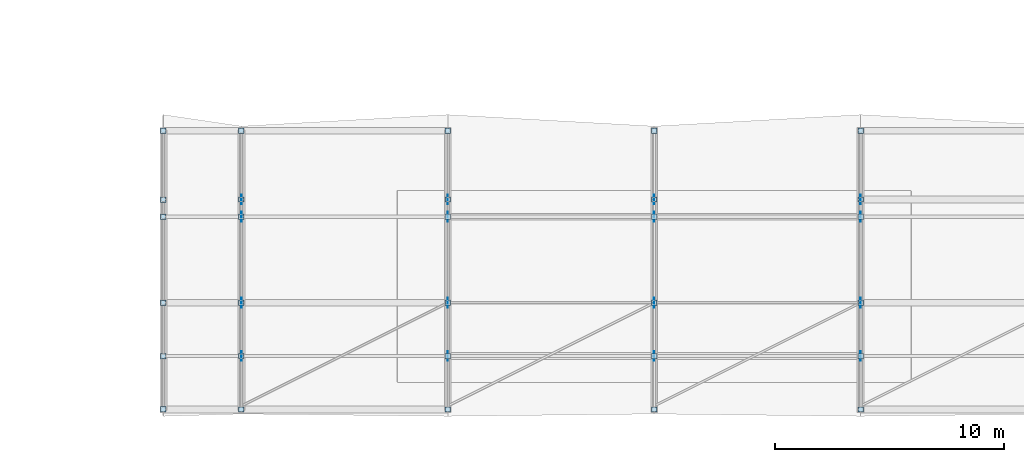
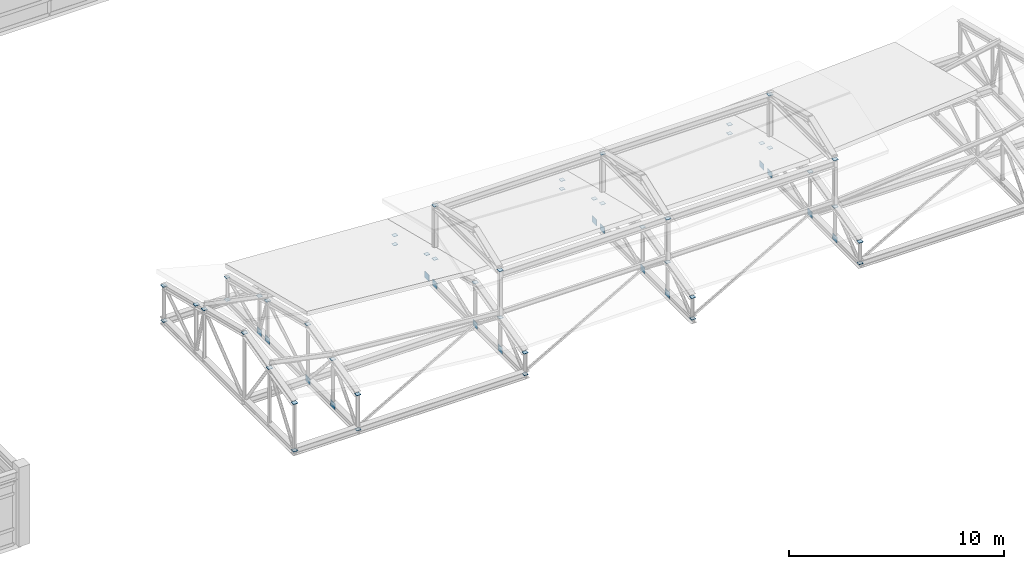
# One storey, part 34 of 55: 62 plates.
"""IFC4 building model written with IfcOpenShell, lengths in metres."""

from ifc_helpers import new_model, si_unit, direction, frame, origin, origin_2d, place, context, subcontext, project, spatial, rectangle, extrude, material, layer, layer_set, type_object, element, save


model = new_model("IFC4")

# Units and contexts
model_context = context("Model", 3, precision=1e-05, world=origin(), true_north=direction((0.0, 1.0)))
body_context = subcontext(model_context, "Body", "Model", "MODEL_VIEW")
ifc_project = project(units=[si_unit("LENGTHUNIT", "METRE"), si_unit("AREAUNIT", "SQUARE_METRE"), si_unit("VOLUMEUNIT", "CUBIC_METRE"), si_unit("PLANEANGLEUNIT", "RADIAN"), si_unit("MASSUNIT", "GRAM", prefix="KILO")], contexts=[model_context])

# Site, building, storey
site_placement = place(None, origin())
site = spatial("IfcSite", under=ifc_project, at=site_placement, CompositionType="ELEMENT")
building_placement = place(site_placement, origin())
building = spatial("IfcBuilding", under=site, at=building_placement, Name="Bozkorgan Art Gallery", CompositionType="ELEMENT")
storey_placement = place(building_placement, frame((0.0, 0.0, 15.0)))
storey = spatial("IfcBuildingStorey", under=building, at=storey_placement, Name="L03", CompositionType="ELEMENT", Elevation=15.0)

# Plates
ifc_material = material(Name="Steel S355J2", Category="steel")
ifc_layer_1 = layer(ifc_material, 0.01611328125, Name="Steel S355J2")
ifc_layer_set_1 = layer_set([ifc_layer_1], Name="Steel S355J2")
plate_type_1 = type_object("IfcPlateType", Name="PLATE-EC-05", PredefinedType="USERDEFINED", material=ifc_layer_set_1)
for number, where, z_axis, x_axis, name in (
    (1, (83.0, 1.85009765625, 2.197509765625), (0.0, 0.0, 1.0), (1.0, 0.0, 0.0), "Truss V3 post cap 2.0"),
    (2, (83.0, 1.85009765625, 0.19189453125), (0.0, 0.0, 1.0), (1.0, 0.0, 0.0), "Truss V3 post base cap 2.0"),
    (3, (83.0, 4.175048828125, 2.777099609375), (0.0, 0.0, 1.0), (1.0, 0.0, 0.0), "Truss V3 post cap 2.1"),
    (4, (83.0, 6.5, 3.35693359375), (0.0, 0.0, 1.0), (1.0, 0.0, 0.0), "Truss V3 post cap 2.2"),
    (5, (83.0, 10.25, 2.421875), (0.0, 0.0, 1.0), (1.0, 0.0, 0.0), "Truss V3 post cap 2.3"),
    (6, (83.0, 11.0, 2.23486328125), (0.0, 0.0, 1.0), (1.0, 0.0, 0.0), "Truss V3 post cap 2.4"),
    (7, (83.0, 14.0, 1.48681640625), (0.0, 0.0, 1.0), (1.0, 0.0, 0.0), "Truss V3 post cap 2.5"),
    (8, (83.0, 14.0, 0.19189453125), (0.0, 0.0, 1.0), (1.0, 0.0, 0.0), "Truss V3 post base cap 2.5"),
    (9, (92.0, 1.85009765625, 1.418701171875), (0.0, 0.0, 1.0), (1.0, 0.0, 0.0), "Truss V3 post cap 3.0"),
    (10, (92.0, 1.85009765625, 0.19189453125), (0.0, 0.0, 1.0), (1.0, 0.0, 0.0), "Truss V3 post base cap 3.0"),
    (11, (92.0, 4.175048828125, 1.998291015625), (0.0, 0.0, 1.0), (1.0, 0.0, 0.0), "Truss V3 post cap 3.1"),
    (12, (92.0, 6.5, 2.578125), (0.0, 0.0, 1.0), (1.0, 0.0, 0.0), "Truss V3 post cap 3.2"),
    (13, (92.0, 10.25, 1.64306640625), (0.0, 0.0, 1.0), (1.0, 0.0, 0.0), "Truss V3 post cap 3.3"),
    (14, (92.0, 11.0, 1.4560546875), (0.0, 0.0, 1.0), (1.0, 0.0, 0.0), "Truss V3 post cap 3.4"),
    (15, (92.0, 14.0, 0.7080078125), (0.0, 0.0, 1.0), (1.0, 0.0, 0.0), "Truss V3 post cap 3.5"),
    (16, (92.0, 14.0, 0.19189453125), (0.0, 0.0, 1.0), (1.0, 0.0, 0.0), "Truss V3 post base cap 3.5"),
    (17, (101.0, 1.85009765625, 1.418701171875), (0.0, 0.0, 1.0), (1.0, 0.0, 0.0), "Truss V3 post cap 4.0"),
    (18, (101.0, 1.85009765625, 0.19189453125), (0.0, 0.0, 1.0), (1.0, 0.0, 0.0), "Truss V3 post base cap 4.0"),
    (19, (101.0, 4.175048828125, 1.998291015625), (0.0, 0.0, 1.0), (1.0, 0.0, 0.0), "Truss V3 post cap 4.1"),
    (20, (101.0, 6.5, 2.578125), (0.0, 0.0, 1.0), (1.0, 0.0, 0.0), "Truss V3 post cap 4.2"),
    (21, (101.0, 10.25, 1.64306640625), (0.0, 0.0, 1.0), (1.0, 0.0, 0.0), "Truss V3 post cap 4.3"),
    (22, (101.0, 11.0, 1.4560546875), (0.0, 0.0, 1.0), (1.0, 0.0, 0.0), "Truss V3 post cap 4.4"),
    (23, (101.0, 14.0, 0.7080078125), (0.0, 0.0, 1.0), (1.0, 0.0, 0.0), "Truss V3 post cap 4.5"),
    (24, (101.0, 14.0, 0.19189453125), (0.0, 0.0, 1.0), (1.0, 0.0, 0.0), "Truss V3 post base cap 4.5"),
    (25, (110.0, 1.85009765625, 1.418701171875), (0.0, 0.0, 1.0), (1.0, 0.0, 0.0), "Truss V3 post cap 5.0"),
    (26, (110.0, 1.85009765625, 0.19189453125), (0.0, 0.0, 1.0), (1.0, 0.0, 0.0), "Truss V3 post base cap 5.0"),
    (27, (110.0, 4.175048828125, 1.998291015625), (0.0, 0.0, 1.0), (1.0, 0.0, 0.0), "Truss V3 post cap 5.1"),
    (28, (110.0, 6.5, 2.578125), (0.0, 0.0, 1.0), (1.0, 0.0, 0.0), "Truss V3 post cap 5.2"),
    (29, (110.0, 10.25, 1.64306640625), (0.0, 0.0, 1.0), (1.0, 0.0, 0.0), "Truss V3 post cap 5.3"),
    (30, (110.0, 11.0, 1.4560546875), (0.0, 0.0, 1.0), (1.0, 0.0, 0.0), "Truss V3 post cap 5.4"),
    (31, (110.0, 14.0, 0.7080078125), (0.0, 0.0, 1.0), (1.0, 0.0, 0.0), "Truss V3 post cap 5.5"),
    (32, (110.0, 14.0, 0.19189453125), (0.0, 0.0, 1.0), (1.0, 0.0, 0.0), "Truss V3 post base cap 5.5"),
):
    element("IfcPlate", number, at=place(storey_placement, frame(where, z_axis=z_axis, x_axis=x_axis)), inside=storey, type_object=plate_type_1, Name=name, ObjectType="END CAP PLATE", PredefinedType="USERDEFINED", context=body_context, shape_type="SweptSolid", body=[
        extrude(rectangle(XDim=0.22998046875, YDim=0.22998046875, at=origin_2d()), origin(), (0.0, 0.0, 1.0), 0.01611328125),
    ])
ifc_layer_2 = layer(ifc_material, 0.02001953125, Name="Steel S355J2")
ifc_layer_set_2 = layer_set([ifc_layer_2], Name="Steel S355J2")
plate_type_2 = type_object("IfcPlateType", Name="PLATE-EC-24", PredefinedType="USERDEFINED", material=ifc_layer_set_2)
for number, where, z_axis, x_axis, name in (
    (33, (79.60009765625, 1.85009765625, 2.895263671875), (0.0, 0.0, 1.0), (1.0, 0.0, 0.0), "Truss V3 post cap 1.0"),
    (34, (79.60009765625, 1.85009765625, 0.18994140625), (0.0, 0.0, 1.0), (1.0, 0.0, 0.0), "Truss V3 post base cap 1.0"),
    (35, (79.60009765625, 4.175048828125, 3.474853515625), (0.0, 0.0, 1.0), (1.0, 0.0, 0.0), "Truss V3 post cap 1.1"),
    (36, (79.60009765625, 6.5, 4.0546875), (0.0, 0.0, 1.0), (1.0, 0.0, 0.0), "Truss V3 post cap 1.2"),
    (37, (79.60009765625, 10.25, 3.11962890625), (0.0, 0.0, 1.0), (1.0, 0.0, 0.0), "Truss V3 post cap 1.3"),
    (38, (79.60009765625, 11.0, 2.9326171875), (0.0, 0.0, 1.0), (1.0, 0.0, 0.0), "Truss V3 post cap 1.4"),
    (39, (79.60009765625, 14.0, 2.1845703125), (0.0, 0.0, 1.0), (1.0, 0.0, 0.0), "Truss V3 post cap 1.5"),
    (40, (79.60009765625, 14.0, 0.18994140625), (0.0, 0.0, 1.0), (1.0, 0.0, 0.0), "Truss V3 post base cap 1.5"),
    (41, (92.0, 4.175048828125, 4.684326171875), (0.0, 0.0, 1.0), (1.0, 0.0, 0.0), "Clerestory V3 post cap 1S"),
    (42, (92.0, 10.25, 4.684326171875), (0.0, 0.0, 1.0), (1.0, 0.0, 0.0), "Clerestory V3 post cap 1N"),
    (43, (101.0, 4.175048828125, 4.48193359375), (0.0, 0.0, 1.0), (1.0, 0.0, 0.0), "Clerestory V3 post cap 2S"),
    (44, (101.0, 10.25, 4.48193359375), (0.0, 0.0, 1.0), (1.0, 0.0, 0.0), "Clerestory V3 post cap 2N"),
    (45, (110.0, 4.175048828125, 4.684326171875), (0.0, 0.0, 1.0), (1.0, 0.0, 0.0), "Clerestory V3 post cap 3S"),
    (46, (110.0, 10.25, 4.684326171875), (0.0, 0.0, 1.0), (1.0, 0.0, 0.0), "Clerestory V3 post cap 3N"),
):
    element("IfcPlate", number, at=place(storey_placement, frame(where, z_axis=z_axis, x_axis=x_axis)), inside=storey, type_object=plate_type_2, Name=name, ObjectType="END CAP PLATE", PredefinedType="USERDEFINED", context=body_context, shape_type="SweptSolid", body=[
        extrude(rectangle(XDim=0.239990234375, YDim=0.239990234375, at=origin_2d()), origin(), (0.0, 0.0, 1.0), 0.02001953125),
    ])
ifc_layer_3 = layer(ifc_material, 0.02392578125, Name="Steel S355J2")
ifc_layer_set_3 = layer_set([ifc_layer_3], Name="Steel S355J2")
plate_type_3 = type_object("IfcPlateType", Name="PLATE-GP-38", PredefinedType="USERDEFINED", material=ifc_layer_set_3)
for number, where, z_axis, x_axis, name in (
    (47, (83.0, 6.5, 0.02001953125), (0.0, 0.0, 1.0), (1.0, 0.0, 0.0), "Truss V3 span 2 node gusset TN-2"),
    (48, (92.0, 6.5, 0.02001953125), (0.0, 0.0, 1.0), (1.0, 0.0, 0.0), "Truss V3 span 3 node gusset TN-2"),
    (49, (101.0, 6.5, 0.02001953125), (0.0, 0.0, 1.0), (1.0, 0.0, 0.0), "Truss V3 span 4 node gusset TN-2"),
    (50, (110.0, 6.5, 0.02001953125), (0.0, 0.0, 1.0), (1.0, 0.0, 0.0), "Truss V3 span 5 node gusset TN-2"),
):
    element("IfcPlate", number, at=place(storey_placement, frame(where, z_axis=z_axis, x_axis=x_axis)), inside=storey, type_object=plate_type_3, Name=name, ObjectType="GUSSET PLATE", PredefinedType="USERDEFINED", context=body_context, shape_type="SweptSolid", body=[
        extrude(rectangle(XDim=0.02001953125, YDim=0.419921875, at=origin_2d()), origin(), (0.0, 0.0, 1.0), 0.360107421875),
    ])
ifc_layer_4 = layer(ifc_material, 0.02001953125, Name="Steel S355J2")
ifc_layer_set_4 = layer_set([ifc_layer_4], Name="Steel S355J2")
plate_type_4 = type_object("IfcPlateType", Name="PLATE-GP-55", PredefinedType="USERDEFINED", material=ifc_layer_set_4)
for number, where, z_axis, x_axis, name in (
    (51, (83.0, 4.175048828125, 0.02001953125), (0.0, 0.0, 1.0), (1.0, 0.0, 0.0), "Truss V3 span 2 node gusset TN-1"),
    (52, (83.0, 10.25, 0.02001953125), (0.0, 0.0, 1.0), (1.0, 0.0, 0.0), "Truss V3 span 2 node gusset TN-3"),
    (53, (83.0, 11.0, 0.02001953125), (0.0, 0.0, 1.0), (1.0, 0.0, 0.0), "Truss V3 span 2 node gusset TN-4"),
    (54, (92.0, 4.175048828125, 0.02001953125), (0.0, 0.0, 1.0), (1.0, 0.0, 0.0), "Truss V3 span 3 node gusset TN-1"),
    (55, (92.0, 10.25, 0.02001953125), (0.0, 0.0, 1.0), (1.0, 0.0, 0.0), "Truss V3 span 3 node gusset TN-3"),
    (56, (92.0, 11.0, 0.02001953125), (0.0, 0.0, 1.0), (1.0, 0.0, 0.0), "Truss V3 span 3 node gusset TN-4"),
    (57, (101.0, 4.175048828125, 0.02001953125), (0.0, 0.0, 1.0), (1.0, 0.0, 0.0), "Truss V3 span 4 node gusset TN-1"),
    (58, (101.0, 10.25, 0.02001953125), (0.0, 0.0, 1.0), (1.0, 0.0, 0.0), "Truss V3 span 4 node gusset TN-3"),
    (59, (101.0, 11.0, 0.02001953125), (0.0, 0.0, 1.0), (1.0, 0.0, 0.0), "Truss V3 span 4 node gusset TN-4"),
    (60, (110.0, 4.175048828125, 0.02001953125), (0.0, 0.0, 1.0), (1.0, 0.0, 0.0), "Truss V3 span 5 node gusset TN-1"),
    (61, (110.0, 10.25, 0.02001953125), (0.0, 0.0, 1.0), (1.0, 0.0, 0.0), "Truss V3 span 5 node gusset TN-3"),
    (62, (110.0, 11.0, 0.02001953125), (0.0, 0.0, 1.0), (1.0, 0.0, 0.0), "Truss V3 span 5 node gusset TN-4"),
):
    element("IfcPlate", number, at=place(storey_placement, frame(where, z_axis=z_axis, x_axis=x_axis)), inside=storey, type_object=plate_type_4, Name=name, ObjectType="GUSSET PLATE", PredefinedType="USERDEFINED", context=body_context, shape_type="SweptSolid", body=[
        extrude(rectangle(XDim=0.02001953125, YDim=0.419921875, at=origin_2d()), origin(), (0.0, 0.0, 1.0), 0.360107421875),
    ])

save(model, "model.ifc")
